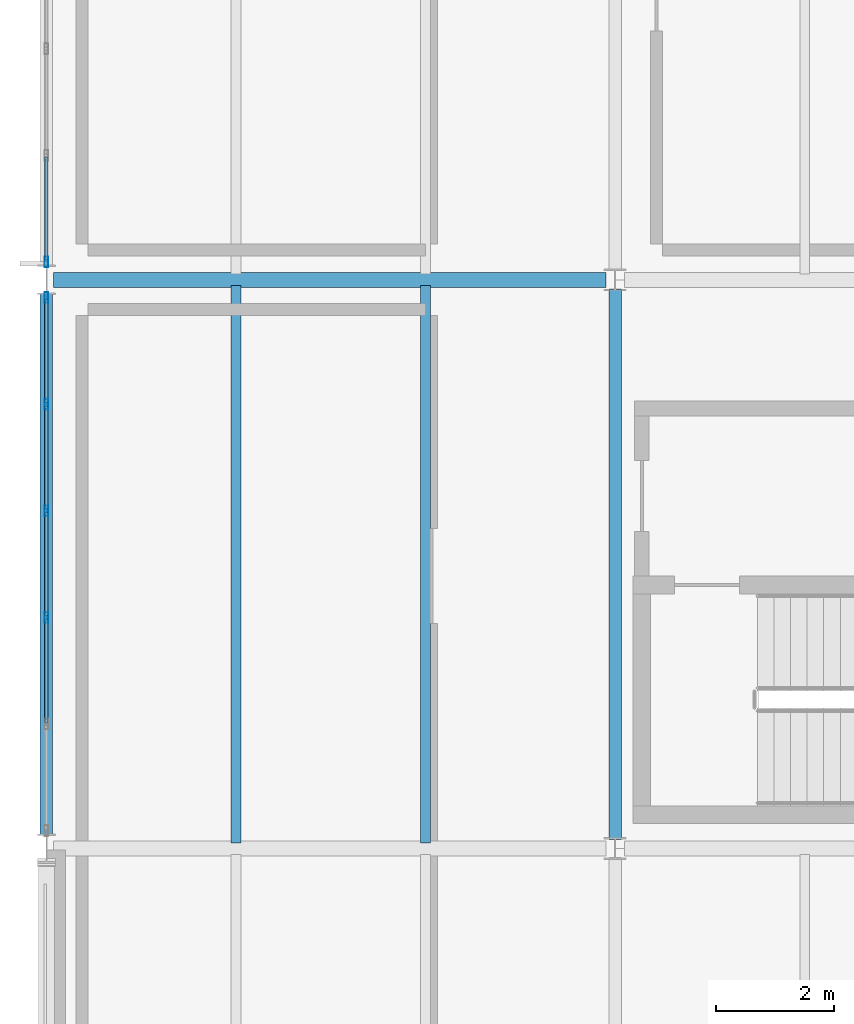
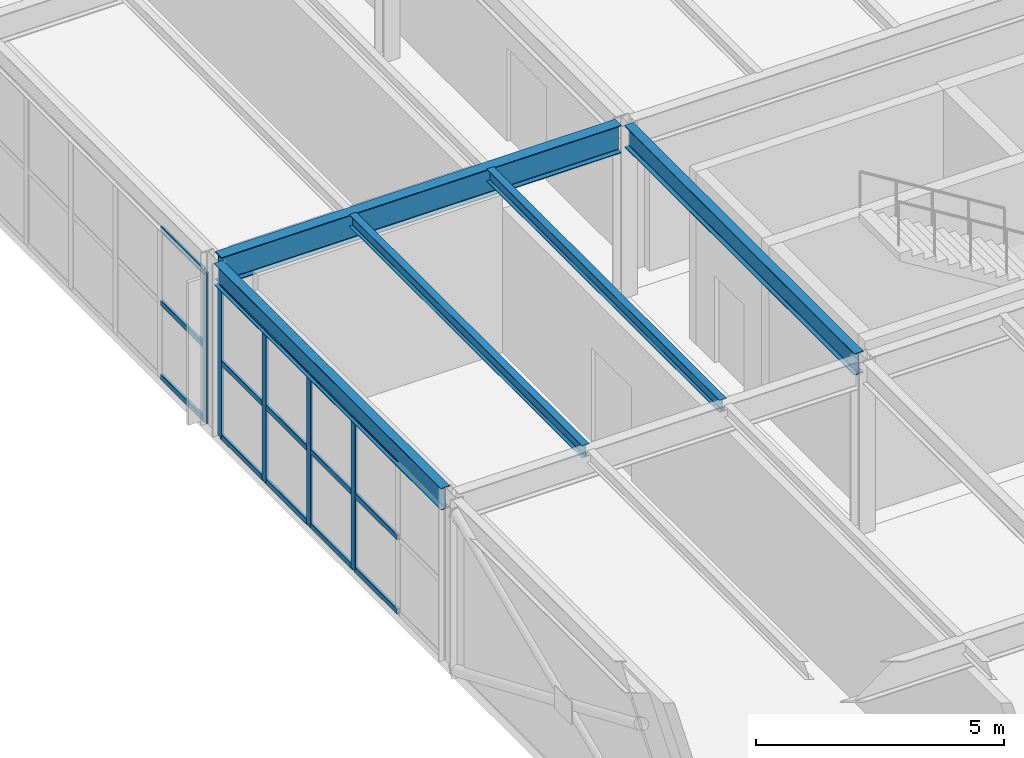
# One storey, part 38 of 170: 20 members, 5 beams, 2 elements without a shape of their own.
"""IFC4 building model written with IfcOpenShell, lengths in metres."""

from ifc_helpers import new_model, si_unit, direction, frame, origin, origin_2d, place, context, subcontext, project, spatial, hollow_rectangle, i_section, extrude, material, material_profile, profile_set, type_object, element, aggregate, save


model = new_model("IFC4")

# Units and contexts
model_context = context("Model", 3, precision=1e-05, world=origin(), true_north=direction((0.0, 1.0)))
body_context = subcontext(model_context, "Body", "Model", "MODEL_VIEW")
ifc_project = project(units=[si_unit("LENGTHUNIT", "METRE"), si_unit("AREAUNIT", "SQUARE_METRE"), si_unit("VOLUMEUNIT", "CUBIC_METRE"), si_unit("PLANEANGLEUNIT", "RADIAN"), si_unit("MASSUNIT", "GRAM", prefix="KILO")], contexts=[model_context])

# Site, building, storey
site_placement = place(None, origin())
site = spatial("IfcSite", under=ifc_project, at=site_placement, CompositionType="ELEMENT")
building_placement = place(site_placement, origin())
building = spatial("IfcBuilding", under=site, at=building_placement, Name="Coralgate Yard Interchange", CompositionType="ELEMENT")
storey_placement = place(building_placement, frame((0.0, 0.0, 6.0)))
storey = spatial("IfcBuildingStorey", under=building, at=storey_placement, Name="L01", CompositionType="ELEMENT", Elevation=6.0)

# Beams
ifc_material_1 = material(Name="Structural steel S355J2", Category="steel")
ifc_material_profile_1 = material_profile(ifc_material_1, i_section(OverallWidth=0.209228515625, OverallDepth=0.533203125, WebThickness=0.010009765625, FlangeThickness=0.015625, FilletRadius=0.0126953125, at=origin_2d()), Name="UB 533x210x92")
ifc_profile_set_1 = profile_set([ifc_material_profile_1], Name="Structural steel S355J2")
beam_type_1 = type_object("IfcBeamType", Name="BM-SB-1", PredefinedType="BEAM", material=ifc_profile_set_1)
beam_1_placement = place(storey_placement, frame((0.0, 29.02001953125, 3.9833984375), z_axis=(0.0, 1.0, 0.0), x_axis=(-1.0, 0.0, 0.0)))
element("IfcBeam", 1, at=beam_1_placement, inside=storey, type_object=beam_type_1, Name="L01 primary grid girder X0 Y3-4", PredefinedType="BEAM", context=body_context, shape_type="SweptSolid", body=[
    extrude(i_section(OverallWidth=0.209228515625, OverallDepth=0.533203125, WebThickness=0.010009765625, FlangeThickness=0.015625, FilletRadius=0.0126953125, at=origin_2d()), origin(), (0.0, 0.0, 1.0), 9.159912109375),
])
beam_2_placement = place(storey_placement, frame((9.60009765625, 28.9541015625, 3.9833984375), z_axis=(0.0, 1.0, 0.0), x_axis=(-1.0, 0.0, 0.0)))
element("IfcBeam", 2, at=beam_2_placement, inside=storey, type_object=beam_type_1, Name="L01 primary grid girder X1 Y3-4", PredefinedType="BEAM", context=body_context, shape_type="SweptSolid", body=[
    extrude(i_section(OverallWidth=0.209228515625, OverallDepth=0.533203125, WebThickness=0.010009765625, FlangeThickness=0.015625, FilletRadius=0.0126953125, at=origin_2d()), origin(), (0.0, 0.0, 1.0), 9.291748046875),
])
ifc_material_profile_2 = material_profile(ifc_material_1, i_section(OverallWidth=0.253662109375, OverallDepth=0.68359375, WebThickness=0.012451171875, FlangeThickness=0.01904296875, FilletRadius=0.01513671875, at=origin_2d()), Name="UB 686x254x140")
ifc_profile_set_2 = profile_set([ifc_material_profile_2], Name="Structural steel S355J2")
beam_type_2 = type_object("IfcBeamType", Name="BM-SG-4", PredefinedType="BEAM", material=ifc_profile_set_2)
beam_3_placement = place(storey_placement, frame((0.1201171875, 38.39990234375, 3.908203125), z_axis=(1.0, 0.0, 0.0), x_axis=(0.0, 1.0, 0.0)))
element("IfcBeam", 3, at=beam_3_placement, inside=storey, type_object=beam_type_2, Name="L01 primary grid beam Y4 X0-1", PredefinedType="BEAM", context=body_context, shape_type="SweptSolid", body=[
    extrude(i_section(OverallWidth=0.253662109375, OverallDepth=0.68359375, WebThickness=0.012451171875, FlangeThickness=0.01904296875, FilletRadius=0.01513671875, at=origin_2d()), origin(), (0.0, 0.0, 1.0), 9.323486328125),
])
ifc_material_profile_3 = material_profile(ifc_material_1, i_section(OverallWidth=0.1650390625, OverallDepth=0.303466796875, WebThickness=0.006103515625, FlangeThickness=0.01025390625, FilletRadius=0.0087890625, at=origin_2d()), Name="UB 305x165x40")
ifc_profile_set_3 = profile_set([ifc_material_profile_3], Name="Structural steel S355J2")
beam_type_3 = type_object("IfcBeamType", Name="BM-SJ-1", PredefinedType="JOIST", material=ifc_profile_set_3)
for number, where, z_axis, x_axis, name in (
    (4, (3.199951171875, 28.896728515625, 4.098388671875), (0.0, 1.0, 0.0), (-1.0, 0.0, 0.0), "L01 composite floor joist 0-3-1"),
    (5, (6.39990234375, 28.896728515625, 4.098388671875), (0.0, 1.0, 0.0), (-1.0, 0.0, 0.0), "L01 composite floor joist 0-3-2"),
):
    element("IfcBeam", number, at=place(storey_placement, frame(where, z_axis=z_axis, x_axis=x_axis)), inside=storey, type_object=beam_type_3, Name=name, PredefinedType="JOIST", context=body_context, shape_type="SweptSolid", body=[
        extrude(i_section(OverallWidth=0.1650390625, OverallDepth=0.303466796875, WebThickness=0.006103515625, FlangeThickness=0.01025390625, FilletRadius=0.0087890625, at=origin_2d()), origin(), (0.0, 0.0, 1.0), 9.40625),
    ])

# Curtain wall, members
ifc_material_2 = material(Name="Anodised coastal aluminium and solar-control low-E glass", Category="aluminium")
curtain_wall_type_1 = type_object("IfcCurtainWallType", Name="CW-CW-L01-A", PredefinedType="NOTDEFINED", material=ifc_material_2)
curtain_wall_1_placement = place(storey_placement, origin())
curtain_wall_1 = element("IfcCurtainWall", 6, at=curtain_wall_1_placement, inside=storey, type_object=curtain_wall_type_1, Name="L01 unitised curtain wall CW-L01-W-00-03", PredefinedType="NOTDEFINED")
ifc_material_3 = material(Name="Anodised coastal aluminium 6063-T6", Category="aluminium")
ifc_material_profile_4 = material_profile(ifc_material_3, hollow_rectangle(XDim=0.06005859375, YDim=0.179931640625, WallThickness=0.00390625, InnerFilletRadius=0.00390625, OuterFilletRadius=0.008056640625, at=origin_2d()), Name="ALU 60x180x4")
ifc_profile_set_4 = profile_set([ifc_material_profile_4], Name="Anodised coastal aluminium 6063-T6")
member_type_1 = type_object("IfcMemberType", Name="MB-MUL-180", PredefinedType="MULLION", material=ifc_profile_set_4)
member_1_placement = place(storey_placement, frame((0.0, 32.699951171875, 0.0), z_axis=(0.0, 0.0, 1.0), x_axis=(1.0, 0.0, 0.0)))
member_1 = element("IfcMember", 7, at=member_1_placement, type_object=member_type_1, Name="CW-L01-W-00-03 vertical mullion 3", PredefinedType="MULLION", context=body_context, shape_type="SweptSolid", body=[
    extrude(hollow_rectangle(XDim=0.06005859375, YDim=0.179931640625, WallThickness=0.00390625, InnerFilletRadius=0.00390625, OuterFilletRadius=0.008056640625, at=origin_2d()), origin(), (0.0, 0.0, 1.0), 3.716796875),
])
member_2_placement = place(storey_placement, frame((0.0, 34.5, 0.0), z_axis=(0.0, 0.0, 1.0), x_axis=(1.0, 0.0, 0.0)))
member_2 = element("IfcMember", 8, at=member_2_placement, type_object=member_type_1, Name="CW-L01-W-00-03 vertical mullion 4", PredefinedType="MULLION", context=body_context, shape_type="SweptSolid", body=[
    extrude(hollow_rectangle(XDim=0.06005859375, YDim=0.179931640625, WallThickness=0.00390625, InnerFilletRadius=0.00390625, OuterFilletRadius=0.008056640625, at=origin_2d()), origin(), (0.0, 0.0, 1.0), 3.716796875),
])
member_3_placement = place(storey_placement, frame((0.0, 36.300048828125, 0.0), z_axis=(0.0, 0.0, 1.0), x_axis=(1.0, 0.0, 0.0)))
member_3 = element("IfcMember", 9, at=member_3_placement, type_object=member_type_1, Name="CW-L01-W-00-03 vertical mullion 5", PredefinedType="MULLION", context=body_context, shape_type="SweptSolid", body=[
    extrude(hollow_rectangle(XDim=0.06005859375, YDim=0.179931640625, WallThickness=0.00390625, InnerFilletRadius=0.00390625, OuterFilletRadius=0.008056640625, at=origin_2d()), origin(), (0.0, 0.0, 1.0), 3.716796875),
])
member_4_placement = place(storey_placement, frame((0.0, 38.10009765625, 0.0), z_axis=(0.0, 0.0, 1.0), x_axis=(1.0, 0.0, 0.0)))
member_4 = element("IfcMember", 10, at=member_4_placement, type_object=member_type_1, Name="CW-L01-W-00-03 vertical mullion 6", PredefinedType="MULLION", context=body_context, shape_type="SweptSolid", body=[
    extrude(hollow_rectangle(XDim=0.06005859375, YDim=0.179931640625, WallThickness=0.00390625, InnerFilletRadius=0.00390625, OuterFilletRadius=0.008056640625, at=origin_2d()), origin(), (0.0, 0.0, 1.0), 3.716796875),
])

# Curtain wall, member
curtain_wall_type_2 = type_object("IfcCurtainWallType", Name="CW-CW-L01-B", PredefinedType="NOTDEFINED", material=ifc_material_2)
curtain_wall_2_placement = place(storey_placement, origin())
curtain_wall_2 = element("IfcCurtainWall", 11, at=curtain_wall_2_placement, inside=storey, type_object=curtain_wall_type_2, Name="L01 unitised curtain wall CW-L01-W-00-04", PredefinedType="NOTDEFINED")
member_5_placement = place(storey_placement, frame((0.0, 38.699951171875, 0.0), z_axis=(0.0, 0.0, 1.0), x_axis=(1.0, 0.0, 0.0)))
member_5 = element("IfcMember", 12, at=member_5_placement, type_object=member_type_1, Name="CW-L01-W-00-04 vertical mullion 1", PredefinedType="MULLION", context=body_context, shape_type="SweptSolid", body=[
    extrude(hollow_rectangle(XDim=0.06005859375, YDim=0.179931640625, WallThickness=0.00390625, InnerFilletRadius=0.00390625, OuterFilletRadius=0.008056640625, at=origin_2d()), origin(), (0.0, 0.0, 1.0), 3.716796875),
])

# Member
ifc_material_profile_5 = material_profile(ifc_material_3, hollow_rectangle(XDim=0.06005859375, YDim=0.139892578125, WallThickness=0.00341796875, InnerFilletRadius=0.00341796875, OuterFilletRadius=0.007080078125, at=origin_2d()), Name="ALU 60x140x3.5")
ifc_profile_set_5 = profile_set([ifc_material_profile_5], Name="Anodised coastal aluminium 6063-T6")
member_type_2 = type_object("IfcMemberType", Name="MB-TRN-140", PredefinedType="USERDEFINED", material=ifc_profile_set_5)
member_6_placement = place(storey_placement, frame((0.0, 30.929931640625, 0.034912109375), z_axis=(0.0, 1.0, 0.0), x_axis=(-1.0, 0.0, 0.0)))
member_6 = element("IfcMember", 13, at=member_6_placement, type_object=member_type_2, Name="CW-L01-W-00-03 horizontal transom 2-1", ObjectType="TRANSOM", PredefinedType="USERDEFINED", context=body_context, shape_type="SweptSolid", body=[
    extrude(hollow_rectangle(XDim=0.06005859375, YDim=0.139892578125, WallThickness=0.00341796875, InnerFilletRadius=0.00341796875, OuterFilletRadius=0.007080078125, at=origin_2d()), origin(), (0.0, 0.0, 1.0), 1.739990234375),
])

member_7_placement = place(storey_placement, frame((0.0, 30.929931640625, 1.8583984375), z_axis=(0.0, 1.0, 0.0), x_axis=(-1.0, 0.0, 0.0)))
member_7 = element("IfcMember", 14, at=member_7_placement, type_object=member_type_2, Name="CW-L01-W-00-03 horizontal transom 2-2", ObjectType="TRANSOM", PredefinedType="USERDEFINED", context=body_context, shape_type="SweptSolid", body=[
    extrude(hollow_rectangle(XDim=0.06005859375, YDim=0.139892578125, WallThickness=0.00341796875, InnerFilletRadius=0.00341796875, OuterFilletRadius=0.007080078125, at=origin_2d()), origin(), (0.0, 0.0, 1.0), 1.739990234375),
])

member_8_placement = place(storey_placement, frame((0.0, 30.929931640625, 3.681884765625), z_axis=(0.0, 1.0, 0.0), x_axis=(-1.0, 0.0, 0.0)))
member_8 = element("IfcMember", 15, at=member_8_placement, type_object=member_type_2, Name="CW-L01-W-00-03 horizontal transom 2-3", ObjectType="TRANSOM", PredefinedType="USERDEFINED", context=body_context, shape_type="SweptSolid", body=[
    extrude(hollow_rectangle(XDim=0.06005859375, YDim=0.139892578125, WallThickness=0.00341796875, InnerFilletRadius=0.00341796875, OuterFilletRadius=0.007080078125, at=origin_2d()), origin(), (0.0, 0.0, 1.0), 1.739990234375),
])

member_9_placement = place(storey_placement, frame((0.0, 32.72998046875, 0.034912109375), z_axis=(0.0, 1.0, 0.0), x_axis=(-1.0, 0.0, 0.0)))
member_9 = element("IfcMember", 16, at=member_9_placement, type_object=member_type_2, Name="CW-L01-W-00-03 horizontal transom 3-1", ObjectType="TRANSOM", PredefinedType="USERDEFINED", context=body_context, shape_type="SweptSolid", body=[
    extrude(hollow_rectangle(XDim=0.06005859375, YDim=0.139892578125, WallThickness=0.00341796875, InnerFilletRadius=0.00341796875, OuterFilletRadius=0.007080078125, at=origin_2d()), origin(), (0.0, 0.0, 1.0), 1.739990234375),
])

member_10_placement = place(storey_placement, frame((0.0, 32.72998046875, 1.8583984375), z_axis=(0.0, 1.0, 0.0), x_axis=(-1.0, 0.0, 0.0)))
member_10 = element("IfcMember", 17, at=member_10_placement, type_object=member_type_2, Name="CW-L01-W-00-03 horizontal transom 3-2", ObjectType="TRANSOM", PredefinedType="USERDEFINED", context=body_context, shape_type="SweptSolid", body=[
    extrude(hollow_rectangle(XDim=0.06005859375, YDim=0.139892578125, WallThickness=0.00341796875, InnerFilletRadius=0.00341796875, OuterFilletRadius=0.007080078125, at=origin_2d()), origin(), (0.0, 0.0, 1.0), 1.739990234375),
])

member_11_placement = place(storey_placement, frame((0.0, 32.72998046875, 3.681884765625), z_axis=(0.0, 1.0, 0.0), x_axis=(-1.0, 0.0, 0.0)))
member_11 = element("IfcMember", 18, at=member_11_placement, type_object=member_type_2, Name="CW-L01-W-00-03 horizontal transom 3-3", ObjectType="TRANSOM", PredefinedType="USERDEFINED", context=body_context, shape_type="SweptSolid", body=[
    extrude(hollow_rectangle(XDim=0.06005859375, YDim=0.139892578125, WallThickness=0.00341796875, InnerFilletRadius=0.00341796875, OuterFilletRadius=0.007080078125, at=origin_2d()), origin(), (0.0, 0.0, 1.0), 1.739990234375),
])

member_12_placement = place(storey_placement, frame((0.0, 34.530029296875, 0.034912109375), z_axis=(0.0, 1.0, 0.0), x_axis=(-1.0, 0.0, 0.0)))
member_12 = element("IfcMember", 19, at=member_12_placement, type_object=member_type_2, Name="CW-L01-W-00-03 horizontal transom 4-1", ObjectType="TRANSOM", PredefinedType="USERDEFINED", context=body_context, shape_type="SweptSolid", body=[
    extrude(hollow_rectangle(XDim=0.06005859375, YDim=0.139892578125, WallThickness=0.00341796875, InnerFilletRadius=0.00341796875, OuterFilletRadius=0.007080078125, at=origin_2d()), origin(), (0.0, 0.0, 1.0), 1.739990234375),
])

member_13_placement = place(storey_placement, frame((0.0, 34.530029296875, 1.8583984375), z_axis=(0.0, 1.0, 0.0), x_axis=(-1.0, 0.0, 0.0)))
member_13 = element("IfcMember", 20, at=member_13_placement, type_object=member_type_2, Name="CW-L01-W-00-03 horizontal transom 4-2", ObjectType="TRANSOM", PredefinedType="USERDEFINED", context=body_context, shape_type="SweptSolid", body=[
    extrude(hollow_rectangle(XDim=0.06005859375, YDim=0.139892578125, WallThickness=0.00341796875, InnerFilletRadius=0.00341796875, OuterFilletRadius=0.007080078125, at=origin_2d()), origin(), (0.0, 0.0, 1.0), 1.739990234375),
])

member_14_placement = place(storey_placement, frame((0.0, 34.530029296875, 3.681884765625), z_axis=(0.0, 1.0, 0.0), x_axis=(-1.0, 0.0, 0.0)))
member_14 = element("IfcMember", 21, at=member_14_placement, type_object=member_type_2, Name="CW-L01-W-00-03 horizontal transom 4-3", ObjectType="TRANSOM", PredefinedType="USERDEFINED", context=body_context, shape_type="SweptSolid", body=[
    extrude(hollow_rectangle(XDim=0.06005859375, YDim=0.139892578125, WallThickness=0.00341796875, InnerFilletRadius=0.00341796875, OuterFilletRadius=0.007080078125, at=origin_2d()), origin(), (0.0, 0.0, 1.0), 1.739990234375),
])

member_15_placement = place(storey_placement, frame((0.0, 36.330078125, 0.034912109375), z_axis=(0.0, 1.0, 0.0), x_axis=(-1.0, 0.0, 0.0)))
member_15 = element("IfcMember", 22, at=member_15_placement, type_object=member_type_2, Name="CW-L01-W-00-03 horizontal transom 5-1", ObjectType="TRANSOM", PredefinedType="USERDEFINED", context=body_context, shape_type="SweptSolid", body=[
    extrude(hollow_rectangle(XDim=0.06005859375, YDim=0.139892578125, WallThickness=0.00341796875, InnerFilletRadius=0.00341796875, OuterFilletRadius=0.007080078125, at=origin_2d()), origin(), (0.0, 0.0, 1.0), 1.739990234375),
])

member_16_placement = place(storey_placement, frame((0.0, 36.330078125, 1.8583984375), z_axis=(0.0, 1.0, 0.0), x_axis=(-1.0, 0.0, 0.0)))
member_16 = element("IfcMember", 23, at=member_16_placement, type_object=member_type_2, Name="CW-L01-W-00-03 horizontal transom 5-2", ObjectType="TRANSOM", PredefinedType="USERDEFINED", context=body_context, shape_type="SweptSolid", body=[
    extrude(hollow_rectangle(XDim=0.06005859375, YDim=0.139892578125, WallThickness=0.00341796875, InnerFilletRadius=0.00341796875, OuterFilletRadius=0.007080078125, at=origin_2d()), origin(), (0.0, 0.0, 1.0), 1.739990234375),
])

member_17_placement = place(storey_placement, frame((0.0, 36.330078125, 3.681884765625), z_axis=(0.0, 1.0, 0.0), x_axis=(-1.0, 0.0, 0.0)))
member_17 = element("IfcMember", 24, at=member_17_placement, type_object=member_type_2, Name="CW-L01-W-00-03 horizontal transom 5-3", ObjectType="TRANSOM", PredefinedType="USERDEFINED", context=body_context, shape_type="SweptSolid", body=[
    extrude(hollow_rectangle(XDim=0.06005859375, YDim=0.139892578125, WallThickness=0.00341796875, InnerFilletRadius=0.00341796875, OuterFilletRadius=0.007080078125, at=origin_2d()), origin(), (0.0, 0.0, 1.0), 1.739990234375),
])

aggregate(curtain_wall_1, [member_1, member_2, member_3, member_4, member_6, member_7, member_8, member_9, member_10, member_11, member_12, member_13, member_14, member_15, member_16, member_17])

member_18_placement = place(storey_placement, frame((0.0, 38.72998046875, 0.034912109375), z_axis=(0.0, 1.0, 0.0), x_axis=(-1.0, 0.0, 0.0)))
member_18 = element("IfcMember", 25, at=member_18_placement, type_object=member_type_2, Name="CW-L01-W-00-04 horizontal transom 1-1", ObjectType="TRANSOM", PredefinedType="USERDEFINED", context=body_context, shape_type="SweptSolid", body=[
    extrude(hollow_rectangle(XDim=0.06005859375, YDim=0.139892578125, WallThickness=0.00341796875, InnerFilletRadius=0.00341796875, OuterFilletRadius=0.007080078125, at=origin_2d()), origin(), (0.0, 0.0, 1.0), 1.739990234375),
])

member_19_placement = place(storey_placement, frame((0.0, 38.72998046875, 1.8583984375), z_axis=(0.0, 1.0, 0.0), x_axis=(-1.0, 0.0, 0.0)))
member_19 = element("IfcMember", 26, at=member_19_placement, type_object=member_type_2, Name="CW-L01-W-00-04 horizontal transom 1-2", ObjectType="TRANSOM", PredefinedType="USERDEFINED", context=body_context, shape_type="SweptSolid", body=[
    extrude(hollow_rectangle(XDim=0.06005859375, YDim=0.139892578125, WallThickness=0.00341796875, InnerFilletRadius=0.00341796875, OuterFilletRadius=0.007080078125, at=origin_2d()), origin(), (0.0, 0.0, 1.0), 1.739990234375),
])

member_20_placement = place(storey_placement, frame((0.0, 38.72998046875, 3.681884765625), z_axis=(0.0, 1.0, 0.0), x_axis=(-1.0, 0.0, 0.0)))
member_20 = element("IfcMember", 27, at=member_20_placement, type_object=member_type_2, Name="CW-L01-W-00-04 horizontal transom 1-3", ObjectType="TRANSOM", PredefinedType="USERDEFINED", context=body_context, shape_type="SweptSolid", body=[
    extrude(hollow_rectangle(XDim=0.06005859375, YDim=0.139892578125, WallThickness=0.00341796875, InnerFilletRadius=0.00341796875, OuterFilletRadius=0.007080078125, at=origin_2d()), origin(), (0.0, 0.0, 1.0), 1.739990234375),
])

aggregate(curtain_wall_2, [member_5, member_18, member_19, member_20])

save(model, "model.ifc")
